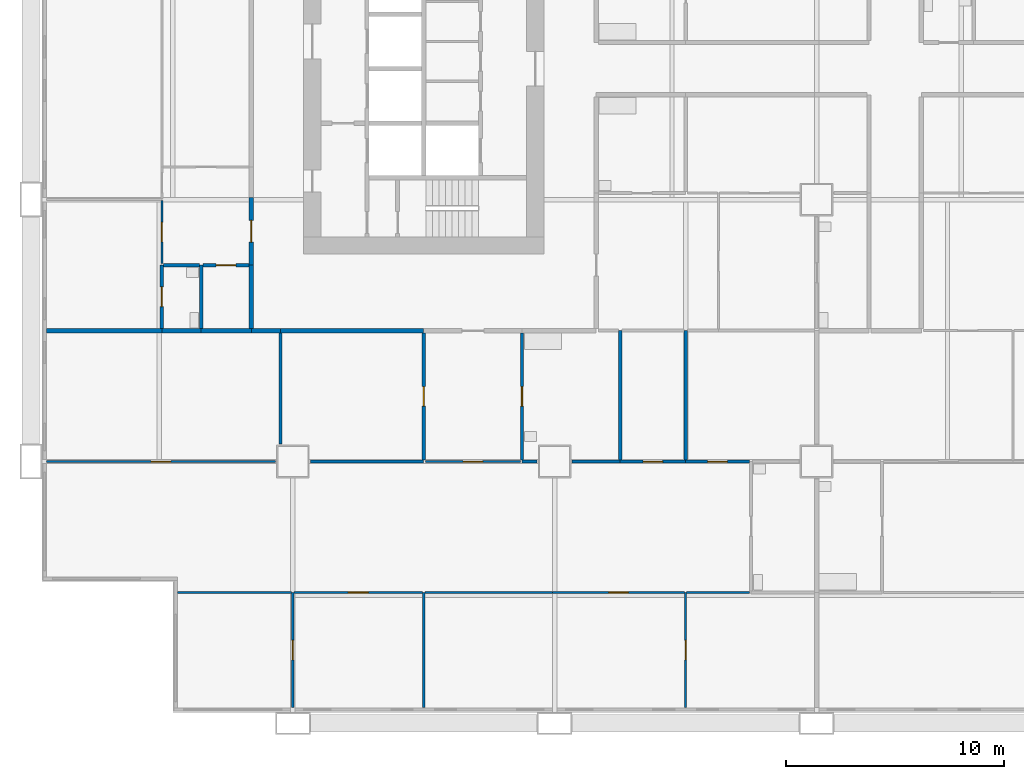
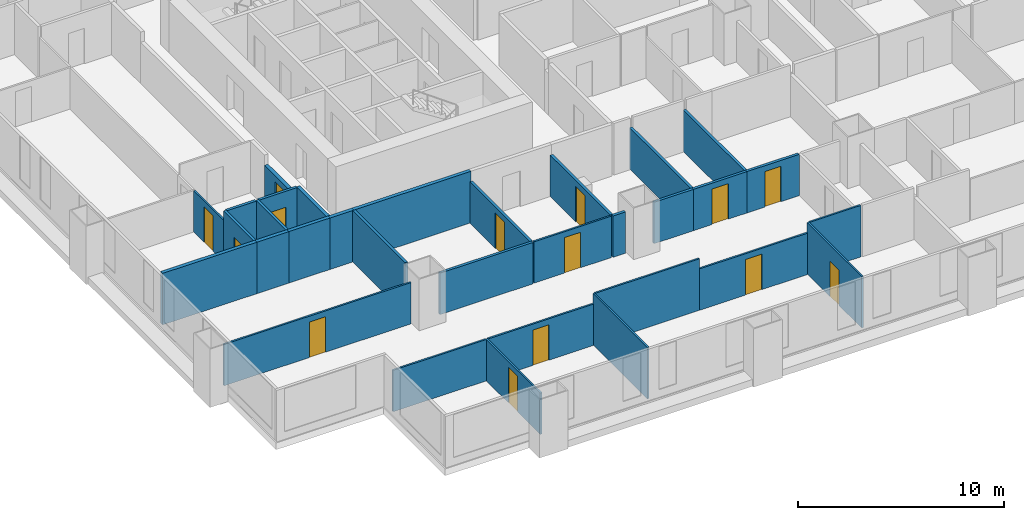
# One storey, part 2 of 14: 32 walls, 14 doors, 14 openings.
"""IFC4 building model written with IfcOpenShell, lengths in metres."""

import ifcopenshell
import ifcopenshell.guid

model = None  # the IFC model being written
_history = None  # IfcOwnerHistory: only IFC2X3 demands one
_inside = {}  # id of a spatial element -> (the spatial element, [elements in it])
_under = {}  # id of a project, library or spatial element -> (it, [spatial elements below it])
_declared = {}  # id of a project -> (the project, [libraries it declares])
_typed = {}  # id of a type object -> (the type object, [elements of that type])
_made_of = {}  # id of a material, layer set ... -> (it, [elements and type objects made of it])


def new_model(schema):
    """Start an empty IFC model of exactly this schema.

    Asked for "IFC4X3", IfcOpenShell would pick the latest addendum, in which some entities
    have other attributes; the version numbers below select the first issue.
    IFC2X3 requires an IfcOwnerHistory on every rooted entity: one is made here for all.
    """
    global model, _history
    if schema == "IFC4X3":
        model = ifcopenshell.file(schema_version=(4, 3, 0, 0))
    else:
        model = ifcopenshell.file(schema=schema)
    _inside.clear()
    _under.clear()
    _declared.clear()
    _typed.clear()
    _made_of.clear()
    _history = None
    if model.schema == "IFC2X3":
        org = make("IfcOrganization", Name="unknown")
        user = make(
            "IfcPersonAndOrganization",
            ThePerson=make("IfcPerson", FamilyName="unknown"),
            TheOrganization=org,
        )
        app = make(
            "IfcApplication",
            ApplicationDeveloper=org,
            Version="unknown",
            ApplicationFullName="unknown",
            ApplicationIdentifier="unknown",
        )
        _history = make(
            "IfcOwnerHistory",
            OwningUser=user,
            OwningApplication=app,
            ChangeAction="ADDED",
            CreationDate=0,
        )
    return model


def make(cls, **values):
    """One entity of the class cls with the attributes given. An attribute that is None is left unset."""
    return model.create_entity(
        cls, **{name: value for name, value in values.items() if value is not None}
    )


def rooted(cls, **values):
    """An entity with a GlobalId (a new one), such as an element, a storey or a relation."""
    return make(cls, GlobalId=ifcopenshell.guid.new(), OwnerHistory=_history, **values)


def si_unit(unit_type, name, prefix=None):
    """IfcSIUnit, for example si_unit("LENGTHUNIT", "METRE", prefix="MILLI")."""
    return make("IfcSIUnit", UnitType=unit_type, Prefix=prefix, Name=name)


def assignment(units):
    """IfcUnitAssignment: the units of a project."""
    return None if units is None else make("IfcUnitAssignment", Units=units)


def point(xyz):
    """IfcCartesianPoint."""
    return None if xyz is None else make("IfcCartesianPoint", Coordinates=xyz)


def direction(xyz):
    """IfcDirection."""
    return None if xyz is None else make("IfcDirection", DirectionRatios=xyz)


def frame(location, z_axis=None, x_axis=None):
    """IfcAxis2Placement3D, a coordinate frame: its origin and axes. An axis left out is left unset."""
    return make(
        "IfcAxis2Placement3D",
        Location=point(location),
        Axis=direction(z_axis),
        RefDirection=direction(x_axis),
    )


def frame_2d(location, x_axis=None):
    """IfcAxis2Placement2D, a coordinate frame in the plane: its origin and x axis."""
    return make(
        "IfcAxis2Placement2D", Location=point(location), RefDirection=direction(x_axis)
    )


def origin():
    """The frame at (0, 0, 0) with its axes left unset."""
    return frame((0.0, 0.0, 0.0))


def place(relative_to, where):
    """IfcLocalPlacement: puts the frame where relative to a parent placement (None: the world)."""
    return make(
        "IfcLocalPlacement", PlacementRelTo=relative_to, RelativePlacement=where
    )


def context(
    kind, dimensions, precision=None, world=None, true_north=None, identifier=None
):
    """IfcGeometricRepresentationContext, for example the 3D "Model" context."""
    return make(
        "IfcGeometricRepresentationContext",
        ContextIdentifier=identifier,
        ContextType=kind,
        CoordinateSpaceDimension=dimensions,
        Precision=precision,
        WorldCoordinateSystem=world,
        TrueNorth=true_north,
    )


def subcontext(parent, identifier, kind, view, scale=None):
    """IfcGeometricRepresentationSubContext, for example "Body" below "Model"."""
    return make(
        "IfcGeometricRepresentationSubContext",
        ContextIdentifier=identifier,
        ContextType=kind,
        ParentContext=parent,
        TargetScale=scale,
        TargetView=view,
    )


def project(units=None, contexts=None):
    """IfcProject with its units and contexts."""
    return rooted(
        "IfcProject",
        Name="project",
        RepresentationContexts=contexts,
        UnitsInContext=assignment(units),
    )


def spatial(cls, under=None, at=None, **own):
    """A site, building, storey or space (cls), placed at a placement, below another one or the project."""
    s = rooted(cls, ObjectPlacement=at, **own)
    if under is not None:
        _under.setdefault(under.id(), (under, []))[1].append(s)
    return s


def profile(cls, at=None, kind="AREA", **sizes):
    """A parametric profile (cls). Its sizes go by their IFC names, for example OverallWidth=200.0."""
    return make(cls, ProfileType=kind, Position=at, **sizes)


def rectangle(**sizes):
    """IfcRectangleProfileDef."""
    return profile("IfcRectangleProfileDef", **sizes)


def extrude(swept, where, along, depth):
    """IfcExtrudedAreaSolid: the profile swept, set in the frame where, extruded along a direction by depth."""
    return make(
        "IfcExtrudedAreaSolid",
        SweptArea=swept,
        Position=where,
        ExtrudedDirection=direction(along),
        Depth=depth,
    )


def shape(context_of_items, identifier, shape_type, items):
    """IfcShapeRepresentation: the items that make up one representation, for example the "Body"."""
    return make(
        "IfcShapeRepresentation",
        ContextOfItems=context_of_items,
        RepresentationIdentifier=identifier,
        RepresentationType=shape_type,
        Items=items,
    )


def material(Name=None, Category=None):
    """IfcMaterial."""
    return make("IfcMaterial", Name=Name, Category=Category)


def layer(
    of_material, thickness, ventilated=None, Name=None, Category=None, Priority=None
):
    """IfcMaterialLayer: one layer of a wall or slab, of a material (None: an air gap)."""
    return make(
        "IfcMaterialLayer",
        Material=of_material,
        LayerThickness=thickness,
        IsVentilated=ventilated,
        Name=Name,
        Category=Category,
        Priority=Priority,
    )


def layer_set(layers, Name=None):
    """IfcMaterialLayerSet."""
    return make("IfcMaterialLayerSet", MaterialLayers=layers, LayerSetName=Name)


def made_of(thing, what):
    """Note that an element or type object is made of a material, layer set ...; save() writes the relation."""
    if what is not None:
        _made_of.setdefault(what.id(), (what, []))[1].append(thing)
    return thing


def type_object(cls, material=None, **own):
    """A type object (cls), such as IfcWallType, which elements share."""
    return made_of(rooted(cls, **own), material)


def element(
    cls,
    number,
    at=None,
    inside=None,
    cuts=None,
    type_object=None,
    material=None,
    context=None,
    identifier="Body",
    shape_type=None,
    held_by="IfcProductDefinitionShape",
    body=None,
    shapes=None,
    **own,
):
    """One element of the class cls, such as IfcWall. Its Tag is "e" and its number.

    at: its placement. inside: the storey or other place that contains it. cuts: it is an
    opening in that element (IfcRelVoidsElement). A single representation is given by context,
    identifier, shape_type and body (its items); several are given by shapes. held_by: the class
    of the entity that holds the representations. save() writes the other relations.
    """
    e = rooted(cls, Tag="e%d" % number, ObjectPlacement=at, **own)
    if body is not None:
        shapes = [shape(context, identifier, shape_type, body)]
    if shapes is not None:
        e.Representation = make(held_by, Representations=shapes)
    if inside is not None:
        _inside.setdefault(inside.id(), (inside, []))[1].append(e)
    if cuts is not None:
        rooted(
            "IfcRelVoidsElement", RelatingBuildingElement=cuts, RelatedOpeningElement=e
        )
    if type_object is not None:
        _typed.setdefault(type_object.id(), (type_object, []))[1].append(e)
    return made_of(e, material)


def fill(opening, filler):
    """IfcRelFillsElement: the door or window that sits in an opening."""
    return rooted(
        "IfcRelFillsElement",
        RelatingOpeningElement=opening,
        RelatedBuildingElement=filler,
    )


def aggregate(whole, parts):
    """IfcRelAggregates: a whole, such as a stair, and the parts it consists of."""
    return rooted("IfcRelAggregates", RelatingObject=whole, RelatedObjects=parts)


def save(model, path):
    """Write the relations noted so far, then the file.

    IfcRelAggregates (storeys below a building ...), IfcRelContainedInSpatialStructure (elements
    in a storey), IfcRelDefinesByType, IfcRelAssociatesMaterial and IfcRelDeclares: one each for
    every whole, place, type object, material and project.
    """
    for whole, parts in _under.values():
        aggregate(whole, parts)
    for where, things in _inside.values():
        rooted(
            "IfcRelContainedInSpatialStructure",
            RelatedElements=things,
            RelatingStructure=where,
        )
    for kind, things in _typed.values():
        rooted("IfcRelDefinesByType", RelatedObjects=things, RelatingType=kind)
    for what, things in _made_of.values():
        rooted("IfcRelAssociatesMaterial", RelatedObjects=things, RelatingMaterial=what)
    for by, libraries in _declared.values():
        rooted("IfcRelDeclares", RelatingContext=by, RelatedDefinitions=libraries)
    model.write(path)


model = new_model("IFC4")

# Units and contexts
model_context = context("Model", 3, precision=1e-05, world=origin(), true_north=direction((0.0, 1.0)))
body_context = subcontext(model_context, "Body", "Model", "MODEL_VIEW")
ifc_project = project(units=[si_unit("LENGTHUNIT", "METRE"), si_unit("AREAUNIT", "SQUARE_METRE"), si_unit("VOLUMEUNIT", "CUBIC_METRE"), si_unit("PLANEANGLEUNIT", "RADIAN"), si_unit("MASSUNIT", "GRAM", prefix="KILO")], contexts=[model_context])

# Site, building, storey
site_placement = place(None, origin())
site = spatial("IfcSite", under=ifc_project, at=site_placement, CompositionType="ELEMENT")
building_placement = place(site_placement, origin())
building = spatial("IfcBuilding", under=site, at=building_placement, Name="Kitamizu Gate Tower and Museum", CompositionType="ELEMENT")
storey_placement = place(building_placement, frame((0.0, 0.0, 74.85009765625)))
storey = spatial("IfcBuildingStorey", under=building, at=storey_placement, Name="L18", CompositionType="ELEMENT", Elevation=74.85009765625)

# Wall, opening, door
ifc_material_1 = material(Name="Gypsum board on galvanised stud")
ifc_layer_1 = layer(ifc_material_1, 0.10009765625)
ifc_layer_set_1 = layer_set([ifc_layer_1], Name="Gypsum board on galvanised stud")
wall_type_1 = type_object("IfcWallType", Name="Partition 100 NOT RATED", PredefinedType="PARTITIONING", material=ifc_layer_set_1)
wall_1_placement = place(storey_placement, frame((12.0, 0.719970703125, 0.0), z_axis=(0.0, 0.0, 1.0), x_axis=(0.0, 1.0, 0.0)))
wall_1 = element("IfcWall", 1, at=wall_1_placement, inside=storey, type_object=wall_type_1, Name="Partition L18-001", PredefinedType="PARTITIONING", context=body_context, shape_type="SweptSolid", body=[
    extrude(rectangle(XDim=5.280029296875, YDim=0.10009765625, at=frame_2d((2.64013671875, 0.0))), origin(), (0.0, 0.0, 1.0), 2.449951171875),
])
opening_1_placement = place(wall_1_placement, frame((2.18994140625, 0.0, 0.0)))
opening_1 = element("IfcOpeningElement", 2, at=opening_1_placement, cuts=wall_1, Name="Opening L18-005", PredefinedType="OPENING", context=body_context, shape_type="SweptSolid", body=[
    extrude(rectangle(XDim=0.89990234375, YDim=2.10009765625, at=frame_2d((0.449951171875, 1.050048828125))), frame((0.0, 0.06005859375, 0.0), z_axis=(0.0, -1.0, 0.0), x_axis=(1.0, 0.0, 0.0)), (0.0, 0.0, 1.0), 0.1201171875),
])
ifc_material_2 = material(Name="Timber door set", Category="wood")
door_type_1 = type_object("IfcDoorType", Name="Room door 900", OperationType="NOTDEFINED", PredefinedType="DOOR", material=ifc_material_2)
door_1_placement = place(opening_1_placement, origin())
door_1 = element("IfcDoor", 3, at=door_1_placement, inside=storey, type_object=door_type_1, Name="Door L18-005", OperationType="SINGLE_SWING_RIGHT", OverallHeight=2.10009765625, OverallWidth=0.89990234375, PredefinedType="DOOR", context=body_context, shape_type="SweptSolid", body=[
    extrude(rectangle(XDim=0.89990234375, YDim=2.10009765625, at=frame_2d((0.449951171875, 1.050048828125))), frame((0.0, 0.02490234375, 0.0), z_axis=(0.0, -1.0, 0.0), x_axis=(1.0, 0.0, 0.0)), (0.0, 0.0, 1.0), 0.050048828125),
])
fill(opening_1, door_1)

# Walls
wall_2_placement = place(storey_placement, frame((11.949951171875, 6.0, 0.0), z_axis=(0.0, 0.0, 1.0), x_axis=(-1.0, 0.0, 0.0)))
element("IfcWall", 4, at=wall_2_placement, inside=storey, type_object=wall_type_1, Name="Partition L18-002", PredefinedType="PARTITIONING", context=body_context, shape_type="SweptSolid", body=[
    extrude(rectangle(XDim=5.22998046875, YDim=0.10009765625, at=frame_2d((2.614990234375, 0.0))), origin(), (0.0, 0.0, 1.0), 2.449951171875),
])
wall_3_placement = place(storey_placement, frame((18.0, 0.719970703125, 0.0), z_axis=(0.0, 0.0, 1.0), x_axis=(0.0, 1.0, 0.0)))
element("IfcWall", 5, at=wall_3_placement, inside=storey, type_object=wall_type_1, Name="Partition L18-003", PredefinedType="PARTITIONING", context=body_context, shape_type="SweptSolid", body=[
    extrude(rectangle(XDim=5.280029296875, YDim=0.10009765625, at=frame_2d((2.64013671875, 0.0))), origin(), (0.0, 0.0, 1.0), 3.0498046875),
])

# Wall, opening, door
wall_4_placement = place(storey_placement, frame((17.949951171875, 6.0, 0.0), z_axis=(0.0, 0.0, 1.0), x_axis=(-1.0, 0.0, 0.0)))
wall_4 = element("IfcWall", 6, at=wall_4_placement, inside=storey, type_object=wall_type_1, Name="Partition L18-004", PredefinedType="PARTITIONING", context=body_context, shape_type="SweptSolid", body=[
    extrude(rectangle(XDim=5.89990234375, YDim=0.10009765625, at=frame_2d((2.949951171875, 0.0))), origin(), (0.0, 0.0, 1.0), 2.449951171875),
])
opening_2_placement = place(wall_4_placement, frame((2.5, 0.0, 0.0)))
opening_2 = element("IfcOpeningElement", 7, at=opening_2_placement, cuts=wall_4, Name="Opening L18-003", PredefinedType="OPENING", context=body_context, shape_type="SweptSolid", body=[
    extrude(rectangle(XDim=0.89990234375, YDim=2.10009765625, at=frame_2d((0.449951171875, 1.050048828125))), frame((0.0, 0.06005859375, 0.0), z_axis=(0.0, -1.0, 0.0), x_axis=(1.0, 0.0, 0.0)), (0.0, 0.0, 1.0), 0.1201171875),
])
door_2_placement = place(opening_2_placement, origin())
door_2 = element("IfcDoor", 8, at=door_2_placement, inside=storey, type_object=door_type_1, Name="Door L18-003", OperationType="SINGLE_SWING_RIGHT", OverallHeight=2.10009765625, OverallWidth=0.89990234375, PredefinedType="DOOR", context=body_context, shape_type="SweptSolid", body=[
    extrude(rectangle(XDim=0.89990234375, YDim=2.10009765625, at=frame_2d((0.449951171875, 1.050048828125))), frame((0.0, 0.02490234375, 0.0), z_axis=(0.0, -1.0, 0.0), x_axis=(1.0, 0.0, 0.0)), (0.0, 0.0, 1.0), 0.050048828125),
])
fill(opening_2, door_2)

wall_5_placement = place(storey_placement, frame((30.0, 0.719970703125, 0.0), z_axis=(0.0, 0.0, 1.0), x_axis=(0.0, 1.0, 0.0)))
wall_5 = element("IfcWall", 9, at=wall_5_placement, inside=storey, type_object=wall_type_1, Name="Partition L18-005", PredefinedType="PARTITIONING", context=body_context, shape_type="SweptSolid", body=[
    extrude(rectangle(XDim=5.280029296875, YDim=0.10009765625, at=frame_2d((2.64013671875, 0.0))), origin(), (0.0, 0.0, 1.0), 3.0498046875),
])
opening_3_placement = place(wall_5_placement, frame((2.18994140625, 0.0, 0.0)))
opening_3 = element("IfcOpeningElement", 10, at=opening_3_placement, cuts=wall_5, Name="Opening L18-006", PredefinedType="OPENING", context=body_context, shape_type="SweptSolid", body=[
    extrude(rectangle(XDim=0.89990234375, YDim=2.10009765625, at=frame_2d((0.449951171875, 1.050048828125))), frame((0.0, 0.06005859375, 0.0), z_axis=(0.0, -1.0, 0.0), x_axis=(1.0, 0.0, 0.0)), (0.0, 0.0, 1.0), 0.1201171875),
])
door_3_placement = place(opening_3_placement, frame((0.89990234375, 0.0, 0.0), x_axis=(-1.0, 0.0, 0.0)))
door_3 = element("IfcDoor", 11, at=door_3_placement, inside=storey, type_object=door_type_1, Name="Door L18-006", OperationType="SINGLE_SWING_RIGHT", OverallHeight=2.10009765625, OverallWidth=0.89990234375, PredefinedType="DOOR", context=body_context, shape_type="SweptSolid", body=[
    extrude(rectangle(XDim=0.89990234375, YDim=2.10009765625, at=frame_2d((0.449951171875, 1.050048828125))), frame((0.0, 0.02490234375, 0.0), z_axis=(0.0, -1.0, 0.0), x_axis=(1.0, 0.0, 0.0)), (0.0, 0.0, 1.0), 0.050048828125),
])
fill(opening_3, door_3)

wall_6_placement = place(storey_placement, frame((29.949951171875, 6.0, 0.0), z_axis=(0.0, 0.0, 1.0), x_axis=(-1.0, 0.0, 0.0)))
wall_6 = element("IfcWall", 12, at=wall_6_placement, inside=storey, type_object=wall_type_1, Name="Partition L18-006", PredefinedType="PARTITIONING", context=body_context, shape_type="SweptSolid", body=[
    extrude(rectangle(XDim=6.050048828125, YDim=0.10009765625, at=frame_2d((3.02490234375, 0.0))), origin(), (0.0, 0.0, 1.0), 2.449951171875),
])
opening_4_placement = place(wall_6_placement, frame((2.574951171875, 0.0, 0.0)))
opening_4 = element("IfcOpeningElement", 13, at=opening_4_placement, cuts=wall_6, Name="Opening L18-004", PredefinedType="OPENING", context=body_context, shape_type="SweptSolid", body=[
    extrude(rectangle(XDim=0.89990234375, YDim=2.10009765625, at=frame_2d((0.449951171875, 1.050048828125))), frame((0.0, 0.06005859375, 0.0), z_axis=(0.0, -1.0, 0.0), x_axis=(1.0, 0.0, 0.0)), (0.0, 0.0, 1.0), 0.1201171875),
])
door_4_placement = place(opening_4_placement, origin())
door_4 = element("IfcDoor", 14, at=door_4_placement, inside=storey, type_object=door_type_1, Name="Door L18-004", OperationType="SINGLE_SWING_LEFT", OverallHeight=2.10009765625, OverallWidth=0.89990234375, PredefinedType="DOOR", context=body_context, shape_type="SweptSolid", body=[
    extrude(rectangle(XDim=0.89990234375, YDim=2.10009765625, at=frame_2d((0.449951171875, 1.050048828125))), frame((0.0, 0.02490234375, 0.0), z_axis=(0.0, -1.0, 0.0), x_axis=(1.0, 0.0, 0.0)), (0.0, 0.0, 1.0), 0.050048828125),
])
fill(opening_4, door_4)

# Walls
wall_7_placement = place(storey_placement, frame((23.89990234375, 6.0, 0.0), z_axis=(0.0, 0.0, 1.0), x_axis=(-1.0, 0.0, 0.0)))
element("IfcWall", 15, at=wall_7_placement, inside=storey, type_object=wall_type_1, Name="Partition L18-007", PredefinedType="PARTITIONING", context=body_context, shape_type="SweptSolid", body=[
    extrude(rectangle(XDim=5.849853515625, YDim=0.10009765625, at=frame_2d((2.9248046875, 0.0))), origin(), (0.0, 0.0, 1.0), 3.0498046875),
])
wall_8_placement = place(storey_placement, frame((32.925048828125, 6.0, 0.0), z_axis=(0.0, 0.0, 1.0), x_axis=(-1.0, 0.0, 0.0)))
element("IfcWall", 16, at=wall_8_placement, inside=storey, type_object=wall_type_1, Name="Partition L18-008", PredefinedType="PARTITIONING", context=body_context, shape_type="SweptSolid", body=[
    extrude(rectangle(XDim=2.875, YDim=0.10009765625, at=frame_2d((1.4375, 0.0))), origin(), (0.0, 0.0, 1.0), 3.0498046875),
])

# Wall, opening, door
wall_9_placement = place(storey_placement, frame((11.199951171875, 12.0, 0.0), z_axis=(0.0, 0.0, 1.0), x_axis=(-1.0, 0.0, 0.0)))
wall_9 = element("IfcWall", 17, at=wall_9_placement, inside=storey, type_object=wall_type_1, Name="Partition L18-012", PredefinedType="PARTITIONING", context=body_context, shape_type="SweptSolid", body=[
    extrude(rectangle(XDim=10.47998046875, YDim=0.10009765625, at=frame_2d((5.239990234375, 0.0))), origin(), (0.0, 0.0, 1.0), 2.449951171875),
])
opening_5_placement = place(wall_9_placement, frame((4.7900390625, 0.0, 0.0)))
opening_5 = element("IfcOpeningElement", 18, at=opening_5_placement, cuts=wall_9, Name="Opening L18-008", PredefinedType="OPENING", context=body_context, shape_type="SweptSolid", body=[
    extrude(rectangle(XDim=0.89990234375, YDim=2.10009765625, at=frame_2d((0.449951171875, 1.050048828125))), frame((0.0, 0.06005859375, 0.0), z_axis=(0.0, -1.0, 0.0), x_axis=(1.0, 0.0, 0.0)), (0.0, 0.0, 1.0), 0.1201171875),
])
door_5_placement = place(opening_5_placement, frame((0.89990234375, 0.0, 0.0), x_axis=(-1.0, 0.0, 0.0)))
door_5 = element("IfcDoor", 19, at=door_5_placement, inside=storey, type_object=door_type_1, Name="Door L18-008", OperationType="SINGLE_SWING_RIGHT", OverallHeight=2.10009765625, OverallWidth=0.89990234375, PredefinedType="DOOR", context=body_context, shape_type="SweptSolid", body=[
    extrude(rectangle(XDim=0.89990234375, YDim=2.10009765625, at=frame_2d((0.449951171875, 1.050048828125))), frame((0.0, 0.02490234375, 0.0), z_axis=(0.0, -1.0, 0.0), x_axis=(1.0, 0.0, 0.0)), (0.0, 0.0, 1.0), 0.050048828125),
])
fill(opening_5, door_5)

wall_10_placement = place(storey_placement, frame((22.425048828125, 12.0, 0.0), z_axis=(0.0, 0.0, 1.0), x_axis=(-1.0, 0.0, 0.0)))
wall_10 = element("IfcWall", 20, at=wall_10_placement, inside=storey, type_object=wall_type_1, Name="Partition L18-014", PredefinedType="PARTITIONING", context=body_context, shape_type="SweptSolid", body=[
    extrude(rectangle(XDim=4.35009765625, YDim=0.10009765625, at=frame_2d((2.175048828125, 0.0))), origin(), (0.0, 0.0, 1.0), 2.449951171875),
])
opening_6_placement = place(wall_10_placement, frame((1.72509765625, 0.0, 0.0)))
opening_6 = element("IfcOpeningElement", 21, at=opening_6_placement, cuts=wall_10, Name="Opening L18-002", PredefinedType="OPENING", context=body_context, shape_type="SweptSolid", body=[
    extrude(rectangle(XDim=0.89990234375, YDim=2.10009765625, at=frame_2d((0.449951171875, 1.050048828125))), frame((0.0, 0.06005859375, 0.0), z_axis=(0.0, -1.0, 0.0), x_axis=(1.0, 0.0, 0.0)), (0.0, 0.0, 1.0), 0.1201171875),
])
door_6_placement = place(opening_6_placement, frame((0.89990234375, 0.0, 0.0), x_axis=(-1.0, 0.0, 0.0)))
door_6 = element("IfcDoor", 22, at=door_6_placement, inside=storey, type_object=door_type_1, Name="Door L18-002", OperationType="SINGLE_SWING_RIGHT", OverallHeight=2.10009765625, OverallWidth=0.89990234375, PredefinedType="DOOR", context=body_context, shape_type="SweptSolid", body=[
    extrude(rectangle(XDim=0.89990234375, YDim=2.10009765625, at=frame_2d((0.449951171875, 1.050048828125))), frame((0.0, 0.02490234375, 0.0), z_axis=(0.0, -1.0, 0.0), x_axis=(1.0, 0.0, 0.0)), (0.0, 0.0, 1.0), 0.050048828125),
])
fill(opening_6, door_6)

wall_11_placement = place(storey_placement, frame((6.0, 21.074951171875, 0.0), z_axis=(0.0, 0.0, 1.0), x_axis=(0.0, 1.0, 0.0)))
wall_11 = element("IfcWall", 23, at=wall_11_placement, inside=storey, type_object=wall_type_1, Name="Partition L18-056", PredefinedType="PARTITIONING", context=body_context, shape_type="SweptSolid", body=[
    extrude(rectangle(XDim=2.875, YDim=0.10009765625, at=frame_2d((1.4375, 0.0))), origin(), (0.0, 0.0, 1.0), 2.449951171875),
])
opening_7_placement = place(wall_11_placement, frame((0.987548828125, 0.0, 0.0)))
opening_7 = element("IfcOpeningElement", 24, at=opening_7_placement, cuts=wall_11, Name="Opening L18-019", PredefinedType="OPENING", context=body_context, shape_type="SweptSolid", body=[
    extrude(rectangle(XDim=0.89990234375, YDim=2.10009765625, at=frame_2d((0.449951171875, 1.050048828125))), frame((0.0, 0.06005859375, 0.0), z_axis=(0.0, -1.0, 0.0), x_axis=(1.0, 0.0, 0.0)), (0.0, 0.0, 1.0), 0.1201171875),
])
door_7_placement = place(opening_7_placement, origin())
door_7 = element("IfcDoor", 25, at=door_7_placement, inside=storey, type_object=door_type_1, Name="Door L18-019", OperationType="SINGLE_SWING_LEFT", OverallHeight=2.10009765625, OverallWidth=0.89990234375, PredefinedType="DOOR", context=body_context, shape_type="SweptSolid", body=[
    extrude(rectangle(XDim=0.89990234375, YDim=2.10009765625, at=frame_2d((0.449951171875, 1.050048828125))), frame((0.0, 0.02490234375, 0.0), z_axis=(0.0, -1.0, 0.0), x_axis=(1.0, 0.0, 0.0)), (0.0, 0.0, 1.0), 0.050048828125),
])
fill(opening_7, door_7)

# Walls
ifc_material_3 = material(Name="Gypsum board on galvanised stud")
ifc_layer_2 = layer(ifc_material_3, 0.14990234375)
ifc_layer_set_2 = layer_set([ifc_layer_2], Name="Gypsum board on galvanised stud")
wall_type_2 = type_object("IfcWallType", Name="Partition 150", PredefinedType="PARTITIONING", material=ifc_layer_set_2)
wall_12_placement = place(storey_placement, frame((18.0, 12.0, 0.0), z_axis=(0.0, 0.0, 1.0), x_axis=(-1.0, 0.0, 0.0)))
element("IfcWall", 26, at=wall_12_placement, inside=storey, type_object=wall_type_2, Name="Partition L18-013", PredefinedType="PARTITIONING", context=body_context, shape_type="SweptSolid", body=[
    extrude(rectangle(XDim=5.199951171875, YDim=0.14990234375, at=frame_2d((2.60009765625, 0.0))), origin(), (0.0, 0.0, 1.0), 2.449951171875),
])
wall_13_placement = place(storey_placement, frame((23.199951171875, 12.0, 0.0), z_axis=(0.0, 0.0, 1.0), x_axis=(-1.0, 0.0, 0.0)))
element("IfcWall", 27, at=wall_13_placement, inside=storey, type_object=wall_type_2, Name="Partition L18-015", PredefinedType="PARTITIONING", context=body_context, shape_type="SweptSolid", body=[
    extrude(rectangle(XDim=0.699951171875, YDim=0.14990234375, at=frame_2d((0.35009765625, 0.0))), origin(), (0.0, 0.0, 1.0), 2.449951171875),
])
wall_14_placement = place(storey_placement, frame((27.0, 12.0, 0.0), z_axis=(0.0, 0.0, 1.0), x_axis=(-1.0, 0.0, 0.0)))
element("IfcWall", 28, at=wall_14_placement, inside=storey, type_object=wall_type_2, Name="Partition L18-016", PredefinedType="PARTITIONING", context=body_context, shape_type="SweptSolid", body=[
    extrude(rectangle(XDim=2.199951171875, YDim=0.14990234375, at=frame_2d((1.10009765625, 0.0))), origin(), (0.0, 0.0, 1.0), 2.449951171875),
])

# Wall, opening, door
wall_15_placement = place(storey_placement, frame((30.0, 12.0, 0.0), z_axis=(0.0, 0.0, 1.0), x_axis=(-1.0, 0.0, 0.0)))
wall_15 = element("IfcWall", 29, at=wall_15_placement, inside=storey, type_object=wall_type_2, Name="Partition L18-017", PredefinedType="PARTITIONING", context=body_context, shape_type="SweptSolid", body=[
    extrude(rectangle(XDim=3.0, YDim=0.14990234375, at=frame_2d((1.5, 0.0))), origin(), (0.0, 0.0, 1.0), 2.449951171875),
])
opening_8_placement = place(wall_15_placement, frame((1.050048828125, 0.0, 0.0)))
opening_8 = element("IfcOpeningElement", 30, at=opening_8_placement, cuts=wall_15, Name="Opening L18-011", PredefinedType="OPENING", context=body_context, shape_type="SweptSolid", body=[
    extrude(rectangle(XDim=0.89990234375, YDim=2.10009765625, at=frame_2d((0.449951171875, 1.050048828125))), frame((0.0, 0.0849609375, 0.0), z_axis=(0.0, -1.0, 0.0), x_axis=(1.0, 0.0, 0.0)), (0.0, 0.0, 1.0), 0.169921875),
])
ifc_material_4 = material(Name="Timber door set", Category="wood")
door_type_2 = type_object("IfcDoorType", Name="Bathroom door 900", OperationType="NOTDEFINED", PredefinedType="DOOR", material=ifc_material_4)
door_8_placement = place(opening_8_placement, frame((0.89990234375, 0.0, 0.0), x_axis=(-1.0, 0.0, 0.0)))
door_8 = element("IfcDoor", 31, at=door_8_placement, inside=storey, type_object=door_type_2, Name="Bathroom door L18-011", OperationType="SINGLE_SWING_LEFT", OverallHeight=2.10009765625, OverallWidth=0.89990234375, PredefinedType="DOOR", context=body_context, shape_type="SweptSolid", body=[
    extrude(rectangle(XDim=0.89990234375, YDim=2.10009765625, at=frame_2d((0.449951171875, 1.050048828125))), frame((0.0, 0.02490234375, 0.0), z_axis=(0.0, -1.0, 0.0), x_axis=(1.0, 0.0, 0.0)), (0.0, 0.0, 1.0), 0.050048828125),
])
fill(opening_8, door_8)

wall_16_placement = place(storey_placement, frame((32.925048828125, 12.0, 0.0), z_axis=(0.0, 0.0, 1.0), x_axis=(-1.0, 0.0, 0.0)))
wall_16 = element("IfcWall", 32, at=wall_16_placement, inside=storey, type_object=wall_type_2, Name="Partition L18-018", PredefinedType="PARTITIONING", context=body_context, shape_type="SweptSolid", body=[
    extrude(rectangle(XDim=2.925048828125, YDim=0.14990234375, at=frame_2d((1.46240234375, 0.0))), origin(), (0.0, 0.0, 1.0), 2.449951171875),
])
opening_9_placement = place(wall_16_placement, frame((1.012451171875, 0.0, 0.0)))
opening_9 = element("IfcOpeningElement", 33, at=opening_9_placement, cuts=wall_16, Name="Opening L18-012", PredefinedType="OPENING", context=body_context, shape_type="SweptSolid", body=[
    extrude(rectangle(XDim=0.89990234375, YDim=2.10009765625, at=frame_2d((0.449951171875, 1.050048828125))), frame((0.0, 0.0849609375, 0.0), z_axis=(0.0, -1.0, 0.0), x_axis=(1.0, 0.0, 0.0)), (0.0, 0.0, 1.0), 0.169921875),
])
door_9_placement = place(opening_9_placement, frame((0.89990234375, 0.0, 0.0), x_axis=(-1.0, 0.0, 0.0)))
door_9 = element("IfcDoor", 34, at=door_9_placement, inside=storey, type_object=door_type_2, Name="Bathroom door L18-012", OperationType="SINGLE_SWING_RIGHT", OverallHeight=2.10009765625, OverallWidth=0.89990234375, PredefinedType="DOOR", context=body_context, shape_type="SweptSolid", body=[
    extrude(rectangle(XDim=0.89990234375, YDim=2.10009765625, at=frame_2d((0.449951171875, 1.050048828125))), frame((0.0, 0.02490234375, 0.0), z_axis=(0.0, -1.0, 0.0), x_axis=(1.0, 0.0, 0.0)), (0.0, 0.0, 1.0), 0.050048828125),
])
fill(opening_9, door_9)

# Wall
wall_17_placement = place(storey_placement, frame((11.43408203125, 12.800048828125, 0.0), z_axis=(0.0, 0.0, 1.0), x_axis=(0.0, 1.0, 0.0)))
element("IfcWall", 35, at=wall_17_placement, inside=storey, type_object=wall_type_2, Name="Partition L18-021", PredefinedType="PARTITIONING", context=body_context, shape_type="SweptSolid", body=[
    extrude(rectangle(XDim=5.099853515625, YDim=0.14990234375, at=frame_2d((2.5498046875, 0.0))), origin(), (0.0, 0.0, 1.0), 3.0498046875),
])

# Wall, opening, door
wall_18_placement = place(storey_placement, frame((18.0, 12.074951171875, 0.0), z_axis=(0.0, 0.0, 1.0), x_axis=(0.0, 1.0, 0.0)))
wall_18 = element("IfcWall", 36, at=wall_18_placement, inside=storey, type_object=wall_type_2, Name="Partition L18-026", PredefinedType="PARTITIONING", context=body_context, shape_type="SweptSolid", body=[
    extrude(rectangle(XDim=5.824951171875, YDim=0.14990234375, at=frame_2d((2.91259765625, 0.0))), origin(), (0.0, 0.0, 1.0), 2.449951171875),
])
opening_10_placement = place(wall_18_placement, frame((2.46240234375, 0.0, 0.0)))
opening_10 = element("IfcOpeningElement", 37, at=opening_10_placement, cuts=wall_18, Name="Opening L18-009", PredefinedType="OPENING", context=body_context, shape_type="SweptSolid", body=[
    extrude(rectangle(XDim=0.89990234375, YDim=2.10009765625, at=frame_2d((0.449951171875, 1.050048828125))), frame((0.0, 0.0849609375, 0.0), z_axis=(0.0, -1.0, 0.0), x_axis=(1.0, 0.0, 0.0)), (0.0, 0.0, 1.0), 0.169921875),
])
door_10_placement = place(opening_10_placement, origin())
door_10 = element("IfcDoor", 38, at=door_10_placement, inside=storey, type_object=door_type_2, Name="Bathroom door L18-009", OperationType="SINGLE_SWING_RIGHT", OverallHeight=2.10009765625, OverallWidth=0.89990234375, PredefinedType="DOOR", context=body_context, shape_type="SweptSolid", body=[
    extrude(rectangle(XDim=0.89990234375, YDim=2.10009765625, at=frame_2d((0.449951171875, 1.050048828125))), frame((0.0, 0.02490234375, 0.0), z_axis=(0.0, -1.0, 0.0), x_axis=(1.0, 0.0, 0.0)), (0.0, 0.0, 1.0), 0.050048828125),
])
fill(opening_10, door_10)

wall_19_placement = place(storey_placement, frame((22.5, 12.074951171875, 0.0), z_axis=(0.0, 0.0, 1.0), x_axis=(0.0, 1.0, 0.0)))
wall_19 = element("IfcWall", 39, at=wall_19_placement, inside=storey, type_object=wall_type_2, Name="Partition L18-028", PredefinedType="PARTITIONING", context=body_context, shape_type="SweptSolid", body=[
    extrude(rectangle(XDim=5.824951171875, YDim=0.14990234375, at=frame_2d((2.91259765625, 0.0))), origin(), (0.0, 0.0, 1.0), 2.449951171875),
])
opening_11_placement = place(wall_19_placement, frame((2.46240234375, 0.0, 0.0)))
opening_11 = element("IfcOpeningElement", 40, at=opening_11_placement, cuts=wall_19, Name="Opening L18-010", PredefinedType="OPENING", context=body_context, shape_type="SweptSolid", body=[
    extrude(rectangle(XDim=0.89990234375, YDim=2.10009765625, at=frame_2d((0.449951171875, 1.050048828125))), frame((0.0, 0.0849609375, 0.0), z_axis=(0.0, -1.0, 0.0), x_axis=(1.0, 0.0, 0.0)), (0.0, 0.0, 1.0), 0.169921875),
])
door_11_placement = place(opening_11_placement, frame((0.89990234375, 0.0, 0.0), x_axis=(-1.0, 0.0, 0.0)))
door_11 = element("IfcDoor", 41, at=door_11_placement, inside=storey, type_object=door_type_2, Name="Bathroom door L18-010", OperationType="SINGLE_SWING_RIGHT", OverallHeight=2.10009765625, OverallWidth=0.89990234375, PredefinedType="DOOR", context=body_context, shape_type="SweptSolid", body=[
    extrude(rectangle(XDim=0.89990234375, YDim=2.10009765625, at=frame_2d((0.449951171875, 1.050048828125))), frame((0.0, 0.02490234375, 0.0), z_axis=(0.0, -1.0, 0.0), x_axis=(1.0, 0.0, 0.0)), (0.0, 0.0, 1.0), 0.050048828125),
])
fill(opening_11, door_11)

# Walls
for number, where, z_axis, x_axis, name in (
    (42, (27.0, 12.074951171875, 0.0), (0.0, 0.0, 1.0), (0.0, 1.0, 0.0), "Partition L18-030"),
    (43, (30.0, 12.074951171875, 0.0), (0.0, 0.0, 1.0), (0.0, 1.0, 0.0), "Partition L18-033"),
):
    element("IfcWall", number, at=place(storey_placement, frame(where, z_axis=z_axis, x_axis=x_axis)), inside=storey, type_object=wall_type_2, Name=name, PredefinedType="PARTITIONING", context=body_context, shape_type="SweptSolid", body=[
        extrude(rectangle(XDim=5.925048828125, YDim=0.14990234375, at=frame_2d((2.96240234375, 0.0))), origin(), (0.0, 0.0, 1.0), 2.449951171875),
    ])

# Wall, opening, door
wall_20_placement = place(storey_placement, frame((6.0, 18.10009765625, 0.0), z_axis=(0.0, 0.0, 1.0), x_axis=(0.0, 1.0, 0.0)))
wall_20 = element("IfcWall", 44, at=wall_20_placement, inside=storey, type_object=wall_type_2, Name="Partition L18-055", PredefinedType="PARTITIONING", context=body_context, shape_type="SweptSolid", body=[
    extrude(rectangle(XDim=2.89990234375, YDim=0.14990234375, at=frame_2d((1.449951171875, 0.0))), origin(), (0.0, 0.0, 1.0), 3.0498046875),
])
opening_12_placement = place(wall_20_placement, frame((1.0, 0.0, 0.0)))
opening_12 = element("IfcOpeningElement", 45, at=opening_12_placement, cuts=wall_20, Name="Opening L18-023", PredefinedType="OPENING", context=body_context, shape_type="SweptSolid", body=[
    extrude(rectangle(XDim=0.89990234375, YDim=2.10009765625, at=frame_2d((0.449951171875, 1.050048828125))), frame((0.0, 0.0849609375, 0.0), z_axis=(0.0, -1.0, 0.0), x_axis=(1.0, 0.0, 0.0)), (0.0, 0.0, 1.0), 0.169921875),
])
door_12_placement = place(opening_12_placement, frame((0.89990234375, 0.0, 0.0), x_axis=(-1.0, 0.0, 0.0)))
door_12 = element("IfcDoor", 46, at=door_12_placement, inside=storey, type_object=door_type_2, Name="Bathroom door L18-023", OperationType="SINGLE_SWING_LEFT", OverallHeight=2.10009765625, OverallWidth=0.89990234375, PredefinedType="DOOR", context=body_context, shape_type="SweptSolid", body=[
    extrude(rectangle(XDim=0.89990234375, YDim=2.10009765625, at=frame_2d((0.449951171875, 1.050048828125))), frame((0.0, 0.02490234375, 0.0), z_axis=(0.0, -1.0, 0.0), x_axis=(1.0, 0.0, 0.0)), (0.0, 0.0, 1.0), 0.050048828125),
])
fill(opening_12, door_12)

# Walls
wall_21_placement = place(storey_placement, frame((7.800048828125, 18.10009765625, 0.0), z_axis=(0.0, 0.0, 1.0), x_axis=(0.0, 1.0, 0.0)))
element("IfcWall", 47, at=wall_21_placement, inside=storey, type_object=wall_type_2, Name="Partition L18-062", PredefinedType="PARTITIONING", context=body_context, shape_type="SweptSolid", body=[
    extrude(rectangle(XDim=2.89990234375, YDim=0.14990234375, at=frame_2d((1.449951171875, 0.0))), origin(), (0.0, 0.0, 1.0), 3.0498046875),
])
wall_22_placement = place(storey_placement, frame((7.72509765625, 21.0, 0.0), z_axis=(0.0, 0.0, 1.0), x_axis=(-1.0, 0.0, 0.0)))
element("IfcWall", 48, at=wall_22_placement, inside=storey, type_object=wall_type_2, Name="Partition L18-063", PredefinedType="PARTITIONING", context=body_context, shape_type="SweptSolid", body=[
    extrude(rectangle(XDim=1.650146484375, YDim=0.14990234375, at=frame_2d((0.8251953125, 0.0))), origin(), (0.0, 0.0, 1.0), 3.0498046875),
])

# Wall, opening, door
wall_23_placement = place(storey_placement, frame((10.0, 21.0, 0.0), z_axis=(0.0, 0.0, 1.0), x_axis=(-1.0, 0.0, 0.0)))
wall_23 = element("IfcWall", 49, at=wall_23_placement, inside=storey, type_object=wall_type_2, Name="Partition L18-064", PredefinedType="PARTITIONING", context=body_context, shape_type="SweptSolid", body=[
    extrude(rectangle(XDim=2.125, YDim=0.14990234375, at=frame_2d((1.0625, 0.0))), origin(), (0.0, 0.0, 1.0), 3.0498046875),
])
opening_13_placement = place(wall_23_placement, frame((0.612548828125, 0.0, 0.0)))
opening_13 = element("IfcOpeningElement", 50, at=opening_13_placement, cuts=wall_23, Name="Opening L18-024", PredefinedType="OPENING", context=body_context, shape_type="SweptSolid", body=[
    extrude(rectangle(XDim=0.89990234375, YDim=2.10009765625, at=frame_2d((0.449951171875, 1.050048828125))), frame((0.0, 0.0849609375, 0.0), z_axis=(0.0, -1.0, 0.0), x_axis=(1.0, 0.0, 0.0)), (0.0, 0.0, 1.0), 0.169921875),
])
door_13_placement = place(opening_13_placement, origin())
door_13 = element("IfcDoor", 51, at=door_13_placement, inside=storey, type_object=door_type_2, Name="Bathroom door L18-024", OperationType="SINGLE_SWING_LEFT", OverallHeight=2.10009765625, OverallWidth=0.89990234375, PredefinedType="DOOR", context=body_context, shape_type="SweptSolid", body=[
    extrude(rectangle(XDim=0.89990234375, YDim=2.10009765625, at=frame_2d((0.449951171875, 1.050048828125))), frame((0.0, 0.02490234375, 0.0), z_axis=(0.0, -1.0, 0.0), x_axis=(1.0, 0.0, 0.0)), (0.0, 0.0, 1.0), 0.050048828125),
])
fill(opening_13, door_13)

# Walls
ifc_material_5 = material(Name="Gypsum board on galvanised stud")
ifc_layer_3 = layer(ifc_material_5, 0.199951171875)
ifc_layer_set_3 = layer_set([ifc_layer_3], Name="Gypsum board on galvanised stud")
wall_type_3 = type_object("IfcWallType", Name="Partition 200", PredefinedType="PARTITIONING", material=ifc_layer_set_3)
wall_24_placement = place(storey_placement, frame((6.0, 18.0, 0.0), z_axis=(0.0, 0.0, 1.0), x_axis=(-1.0, 0.0, 0.0)))
element("IfcWall", 52, at=wall_24_placement, inside=storey, type_object=wall_type_3, Name="Partition L18-022", PredefinedType="PARTITIONING", context=body_context, shape_type="SweptSolid", body=[
    extrude(rectangle(XDim=5.280029296875, YDim=0.199951171875, at=frame_2d((2.64013671875, 0.0))), origin(), (0.0, 0.0, 1.0), 3.0498046875),
])
wall_25_placement = place(storey_placement, frame((7.800048828125, 18.0, 0.0), z_axis=(0.0, 0.0, 1.0), x_axis=(-1.0, 0.0, 0.0)))
element("IfcWall", 53, at=wall_25_placement, inside=storey, type_object=wall_type_3, Name="Partition L18-023", PredefinedType="PARTITIONING", context=body_context, shape_type="SweptSolid", body=[
    extrude(rectangle(XDim=1.800048828125, YDim=0.199951171875, at=frame_2d((0.89990234375, 0.0))), origin(), (0.0, 0.0, 1.0), 3.0498046875),
])
wall_26_placement = place(storey_placement, frame((10.10009765625, 18.0, 0.0), z_axis=(0.0, 0.0, 1.0), x_axis=(-1.0, 0.0, 0.0)))
element("IfcWall", 54, at=wall_26_placement, inside=storey, type_object=wall_type_3, Name="Partition L18-024", PredefinedType="PARTITIONING", context=body_context, shape_type="SweptSolid", body=[
    extrude(rectangle(XDim=2.300048828125, YDim=0.199951171875, at=frame_2d((1.14990234375, 0.0))), origin(), (0.0, 0.0, 1.0), 3.0498046875),
])
wall_27_placement = place(storey_placement, frame((11.43408203125, 18.0, 0.0), z_axis=(0.0, 0.0, 1.0), x_axis=(-1.0, 0.0, 0.0)))
element("IfcWall", 55, at=wall_27_placement, inside=storey, type_object=wall_type_3, Name="Partition L18-025", PredefinedType="PARTITIONING", context=body_context, shape_type="SweptSolid", body=[
    extrude(rectangle(XDim=1.333984375, YDim=0.199951171875, at=frame_2d((0.6669921875, 0.0))), origin(), (0.0, 0.0, 1.0), 3.0498046875),
])
wall_28_placement = place(storey_placement, frame((18.0, 18.0, 0.0), z_axis=(0.0, 0.0, 1.0), x_axis=(-1.0, 0.0, 0.0)))
element("IfcWall", 56, at=wall_28_placement, inside=storey, type_object=wall_type_3, Name="Partition L18-027", PredefinedType="PARTITIONING", context=body_context, shape_type="SweptSolid", body=[
    extrude(rectangle(XDim=6.56591796875, YDim=0.199951171875, at=frame_2d((3.282958984375, 0.0))), origin(), (0.0, 0.0, 1.0), 3.0498046875),
])
wall_29_placement = place(storey_placement, frame((10.10009765625, 18.10009765625, 0.0), z_axis=(0.0, 0.0, 1.0), x_axis=(0.0, 1.0, 0.0)))
element("IfcWall", 57, at=wall_29_placement, inside=storey, type_object=wall_type_3, Name="Partition L18-065", PredefinedType="PARTITIONING", context=body_context, shape_type="SweptSolid", body=[
    extrude(rectangle(XDim=2.89990234375, YDim=0.199951171875, at=frame_2d((1.449951171875, 0.0))), origin(), (0.0, 0.0, 1.0), 3.0498046875),
])

# Wall, opening, door
wall_30_placement = place(storey_placement, frame((10.10009765625, 21.0, 0.0), z_axis=(0.0, 0.0, 1.0), x_axis=(0.0, 1.0, 0.0)))
wall_30 = element("IfcWall", 58, at=wall_30_placement, inside=storey, type_object=wall_type_3, Name="Partition L18-067", PredefinedType="PARTITIONING", context=body_context, shape_type="SweptSolid", body=[
    extrude(rectangle(XDim=3.10009765625, YDim=0.199951171875, at=frame_2d((1.550048828125, 0.0))), origin(), (0.0, 0.0, 1.0), 2.449951171875),
])
opening_14_placement = place(wall_30_placement, frame((1.050048828125, 0.0, 0.0)))
opening_14 = element("IfcOpeningElement", 59, at=opening_14_placement, cuts=wall_30, Name="Opening L18-018", PredefinedType="OPENING", context=body_context, shape_type="SweptSolid", body=[
    extrude(rectangle(XDim=1.0, YDim=2.10009765625, at=frame_2d((0.5, 1.050048828125))), frame((0.0, 0.10986328125, 0.0), z_axis=(0.0, -1.0, 0.0), x_axis=(1.0, 0.0, 0.0)), (0.0, 0.0, 1.0), 0.219970703125),
])
ifc_material_6 = material(Name="Timber door set", Category="wood")
door_type_3 = type_object("IfcDoorType", Name="Flat entrance door 1000", OperationType="NOTDEFINED", PredefinedType="DOOR", material=ifc_material_6)
door_14_placement = place(opening_14_placement, origin())
door_14 = element("IfcDoor", 60, at=door_14_placement, inside=storey, type_object=door_type_3, Name="Flat entrance door L18-018", OperationType="SINGLE_SWING_RIGHT", OverallHeight=2.10009765625, OverallWidth=1.0, PredefinedType="DOOR", context=body_context, shape_type="SweptSolid", body=[
    extrude(rectangle(XDim=1.0, YDim=2.10009765625, at=frame_2d((0.5, 1.050048828125))), frame((0.0, 0.02490234375, 0.0), z_axis=(0.0, -1.0, 0.0), x_axis=(1.0, 0.0, 0.0)), (0.0, 0.0, 1.0), 0.050048828125),
])
fill(opening_14, door_14)

save(model, "model.ifc")
